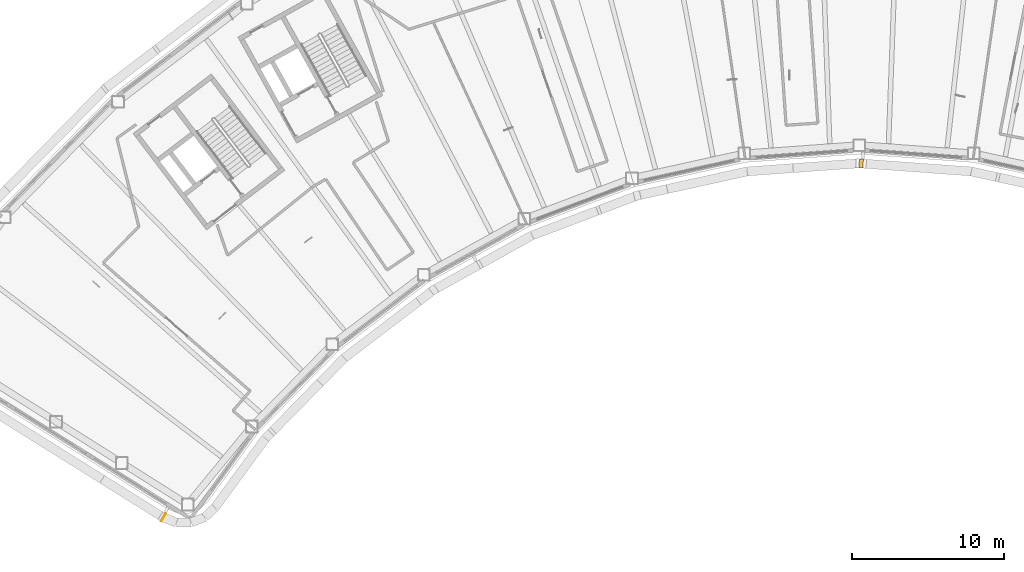
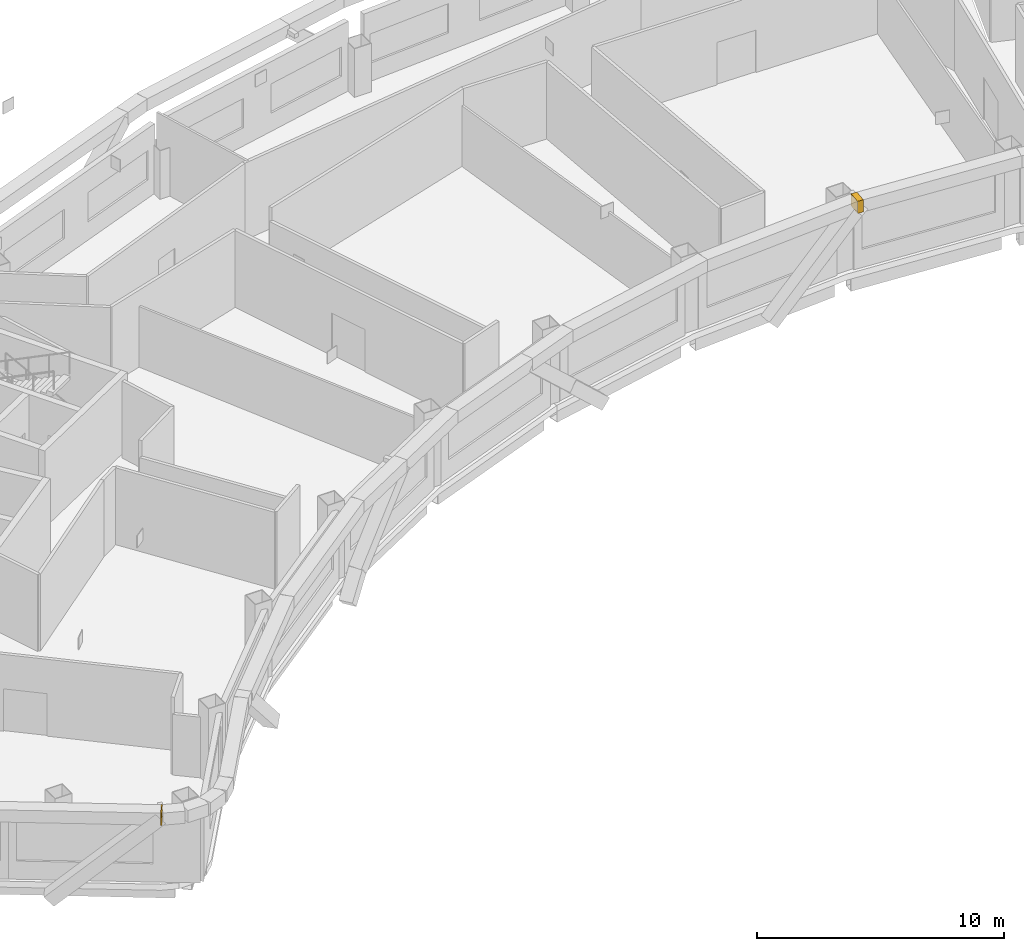
# One storey, part 21 of 21: 2 coverings.
"""IFC4 building model written with IfcOpenShell, lengths in metres."""

from ifc_helpers import new_model, si_unit, direction, frame, origin, origin_2d, place, context, subcontext, project, spatial, rectangle, extrude, material, material_profile, profile_set, type_object, element, save


model = new_model("IFC4")

# Units and contexts
model_context = context("Model", 3, precision=1e-05, world=origin(), true_north=direction((0.0, 1.0)))
body_context = subcontext(model_context, "Body", "Model", "MODEL_VIEW")
ifc_project = project(units=[si_unit("LENGTHUNIT", "METRE"), si_unit("AREAUNIT", "SQUARE_METRE"), si_unit("VOLUMEUNIT", "CUBIC_METRE"), si_unit("PLANEANGLEUNIT", "RADIAN"), si_unit("MASSUNIT", "GRAM", prefix="KILO")], contexts=[model_context])

# Site, building, storey
site_placement = place(None, origin())
site = spatial("IfcSite", under=ifc_project, at=site_placement, CompositionType="ELEMENT")
building_placement = place(site_placement, origin())
building = spatial("IfcBuilding", under=site, at=building_placement, Name="Tuul Gate Civic Tower", CompositionType="ELEMENT")
storey_placement = place(building_placement, frame((0.0, 0.0, 311.0)))
storey = spatial("IfcBuildingStorey", under=building, at=storey_placement, Name="Level 70", CompositionType="ELEMENT", Elevation=311.0)

# Coverings
ifc_material = material(Name="Terracotta baguette", Category="masonry")
ifc_material_profile = material_profile(ifc_material, rectangle(XDim=0.60009765625, YDim=0.60009765625, at=origin_2d()), Name="Terracotta baguette screen frame")
ifc_profile_set = profile_set([ifc_material_profile], Name="Terracotta baguette")
covering_type = type_object("IfcCoveringType", Name="Terracotta baguette screen frame", PredefinedType="CLADDING", material=ifc_profile_set)
covering_1_placement = place(storey_placement, frame((-39.140869140625, -36.6748046875, 3.85009765625), z_axis=(0.848261487435, -0.529577613702, 0.0), x_axis=(0.529577613702, 0.848261487435, 0.0)))
element("IfcCovering", 1, at=covering_1_placement, inside=storey, type_object=covering_type, Name="Baguette 171", PredefinedType="CLADDING", context=body_context, shape_type="SweptSolid", body=[
    extrude(rectangle(XDim=0.60009765625, YDim=0.60009765625, at=origin_2d()), origin(), (0.0, 0.0, 1.0), 0.052001953125),
])
covering_2_placement = place(storey_placement, frame((6.7880859375, -13.326904296875, 3.85009765625), z_axis=(0.997368261677, -0.072502073076, 0.0), x_axis=(0.072502073076, 0.997368261677, 0.0)))
element("IfcCovering", 2, at=covering_2_placement, inside=storey, type_object=covering_type, Name="Baguette 430", PredefinedType="CLADDING", context=body_context, shape_type="SweptSolid", body=[
    extrude(rectangle(XDim=0.60009765625, YDim=0.60009765625, at=origin_2d()), origin(), (0.0, 0.0, 1.0), 0.2626953125),
])

save(model, "model.ifc")
